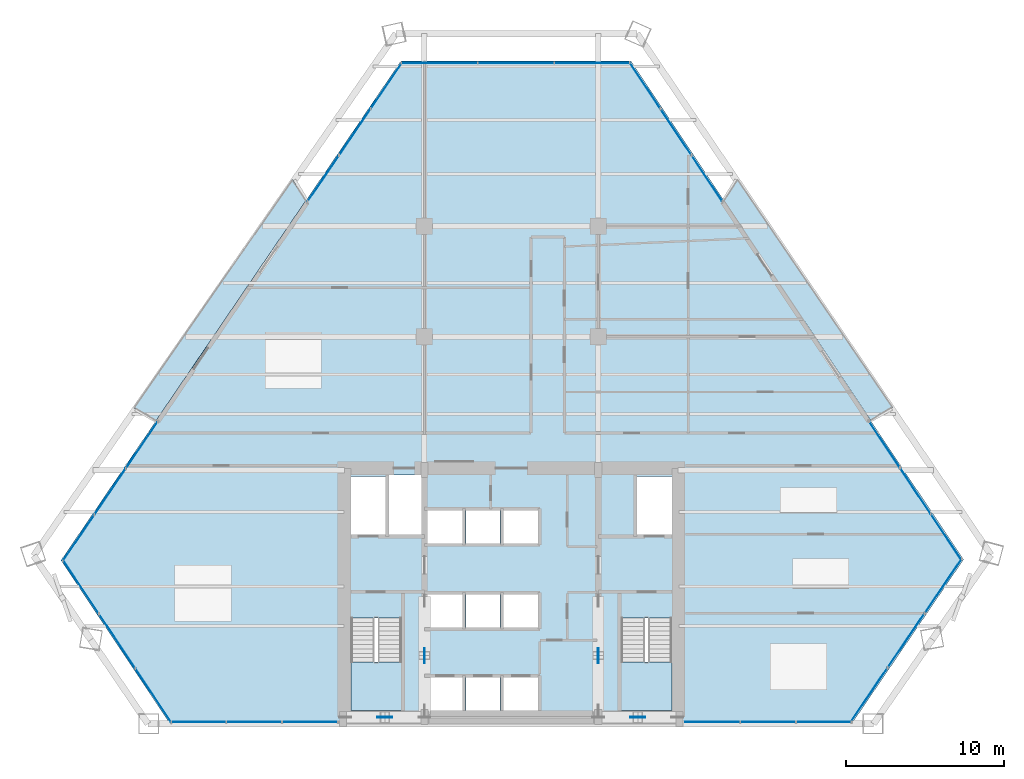
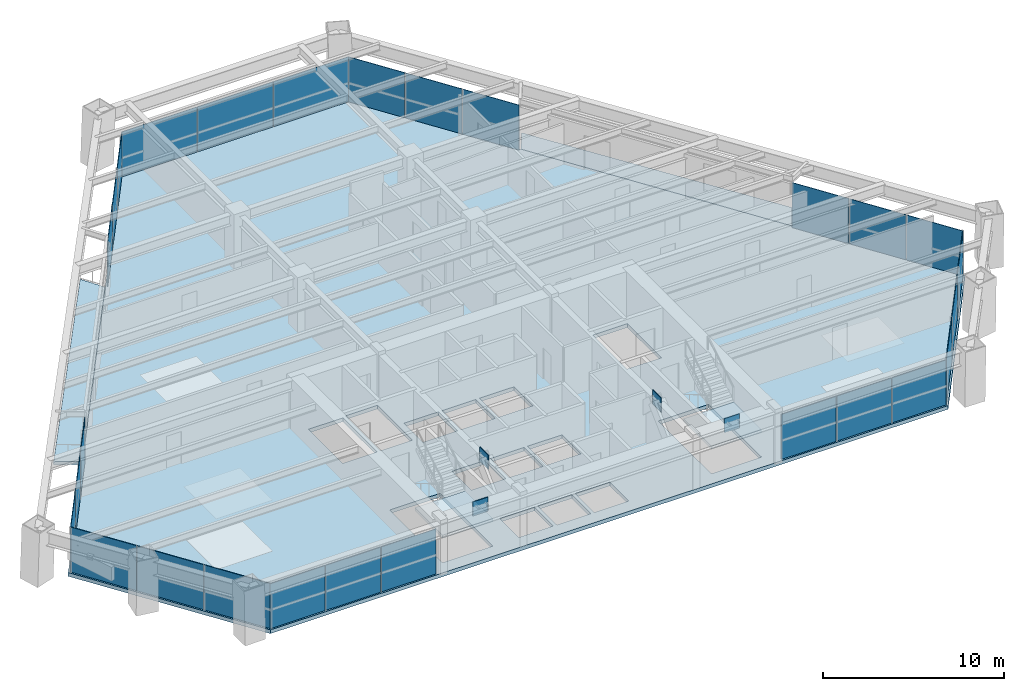
# One storey, part 9 of 14: 31 plates, 5 slabs, 11 elements without a shape of their own.
"""IFC4 building model written with IfcOpenShell, lengths in metres."""

from ifc_helpers import new_model, si_unit, direction, frame, origin, origin_2d, place, context, subcontext, project, spatial, polyline, rectangle, outline, extrude, source, transform, mapped, material, layer, layer_set, type_object, element, aggregate, save


model = new_model("IFC4")

# Units and contexts
model_context = context("Model", 3, precision=1e-05, world=origin(), true_north=direction((0.0, 1.0)))
body_context = subcontext(model_context, "Body", "Model", "MODEL_VIEW")
ifc_project = project(units=[si_unit("LENGTHUNIT", "METRE"), si_unit("AREAUNIT", "SQUARE_METRE"), si_unit("VOLUMEUNIT", "CUBIC_METRE"), si_unit("PLANEANGLEUNIT", "RADIAN"), si_unit("MASSUNIT", "GRAM", prefix="KILO")], contexts=[model_context])

# Site, building, storey
site_placement = place(None, origin())
site = spatial("IfcSite", under=ifc_project, at=site_placement, CompositionType="ELEMENT")
building_placement = place(site_placement, origin())
building = spatial("IfcBuilding", under=site, at=building_placement, Name="Varnakhor Terracotta Tower", CompositionType="ELEMENT")
storey_placement = place(building_placement, frame((0.0, 0.0, 53.39990234375)))
storey = spatial("IfcBuildingStorey", under=building, at=storey_placement, Name="L12", CompositionType="ELEMENT", Elevation=53.39990234375)

# Stair, slab
ifc_material_1 = material(Name="Concrete C40/50", Category="concrete")
stair_type = type_object("IfcStairType", Name="STR-CORE-OFFICE-1500", PredefinedType="HALF_TURN_STAIR", material=ifc_material_1)
stair_1_placement = place(storey_placement, origin())
stair_1 = element("IfcStair", 1, at=stair_1_placement, inside=storey, type_object=stair_type, Name="L12 Core Exit Stair ST-1", PredefinedType="HALF_TURN_STAIR")
ifc_layer_1 = layer(ifc_material_1, 0.179931640625, Name="Concrete C40/50")
ifc_layer_set_1 = layer_set([ifc_layer_1], Name="Concrete C40/50")
slab_type_1 = type_object("IfcSlabType", Name="SLB-LANDING-180", PredefinedType="LANDING", material=ifc_layer_set_1)
slab_1_placement = place(storey_placement, frame((0.0, 0.0, 1.650146484375)))
slab_1 = element("IfcSlab", 2, at=slab_1_placement, type_object=slab_type_1, Name="ST-1 landing 1", PredefinedType="LANDING", context=body_context, shape_type="SweptSolid", body=[
    extrude(outline(polyline([(-10.14990234375, 3.909912109375), (-10.14990234375, 0.85009765625), (-6.949951171875, 0.85009765625), (-6.949951171875, 3.909912109375), (-10.14990234375, 3.909912109375)])), origin(), (0.0, 0.0, 1.0), 0.199951171875),
])
aggregate(stair_1, [slab_1])

stair_2_placement = place(storey_placement, origin())
stair_2 = element("IfcStair", 3, at=stair_2_placement, inside=storey, type_object=stair_type, Name="L12 Core Exit Stair ST-2", PredefinedType="HALF_TURN_STAIR")
slab_2_placement = place(storey_placement, frame((0.0, 0.0, 1.650146484375)))
slab_2 = element("IfcSlab", 4, at=slab_2_placement, type_object=slab_type_1, Name="ST-2 landing 1", PredefinedType="LANDING", context=body_context, shape_type="SweptSolid", body=[
    extrude(outline(polyline([(6.949951171875, 3.909912109375), (6.949951171875, 0.85009765625), (10.14990234375, 0.85009765625), (10.14990234375, 3.909912109375), (6.949951171875, 3.909912109375)])), origin(), (0.0, 0.0, 1.0), 0.199951171875),
])
aggregate(stair_2, [slab_2])

# Slabs
ifc_layer_2 = layer(ifc_material_1, 0.195068359375, Name="Concrete C40/50")
ifc_layer_set_2 = layer_set([ifc_layer_2], Name="Concrete C40/50")
slab_type_2 = type_object("IfcSlabType", Name="SLB-LOGGIA-EXT-195", PredefinedType="FLOOR", material=ifc_layer_set_2)
slab_3_placement = place(storey_placement, frame((0.0, 0.0, -0.19482421875)))
element("IfcSlab", 5, at=slab_3_placement, inside=storey, type_object=slab_type_2, Name="L12 E Recessed Outdoor Loggia Slab", PredefinedType="FLOOR", context=body_context, shape_type="SweptSolid", body=[
    extrude(outline(polyline([(14.281005859375, 34.45556640625), (24.11669921875, 20.010498046875), (22.71875, 19.226806640625), (13.4619140625, 33.10595703125), (14.281005859375, 34.45556640625)])), origin(), (0.0, 0.0, 1.0), 0.19482421875),
])
slab_4_placement = place(storey_placement, frame((0.0, 0.0, -0.19482421875)))
element("IfcSlab", 6, at=slab_4_placement, inside=storey, type_object=slab_type_2, Name="L12 W Recessed Outdoor Loggia Slab", PredefinedType="FLOOR", context=body_context, shape_type="SweptSolid", body=[
    extrude(outline(polyline([(-23.875244140625, 19.975341796875), (-13.83251953125, 34.44189453125), (-13.0126953125, 33.0927734375), (-22.4755859375, 19.193115234375), (-23.875244140625, 19.975341796875)])), origin(), (0.0, 0.0, 1.0), 0.19482421875),
])
ifc_layer_3 = layer(ifc_material_1, 0.25, Name="Concrete C40/50")
ifc_layer_set_3 = layer_set([ifc_layer_3], Name="Concrete C40/50")
slab_type_3 = type_object("IfcSlabType", Name="SLB-OFF-250", PredefinedType="FLOOR", material=ifc_layer_set_3)
slab_5_placement = place(storey_placement, frame((0.0, 0.0, -0.25)))
element("IfcSlab", 7, at=slab_5_placement, inside=storey, type_object=slab_type_3, Name="L12 Structural Floor Slab", PredefinedType="FLOOR", context=body_context, shape_type="SweptSolid", body=[
    extrude(outline(polyline([(-28.49755859375, 10.34765625), (-6.990966796875, 41.93798828125), (7.571044921875, 41.93798828125), (28.609375, 10.39453125), (21.53271484375, 0.0), (-21.59619140625, 0.0), (-28.49755859375, 10.34765625)]), holes=[polyline([(-3.10009765625, 0.85009765625), (-3.10009765625, 2.949951171875), (-5.300048828125, 2.949951171875), (-5.300048828125, 0.85009765625), (-3.10009765625, 0.85009765625)]), polyline([(-2.8798828125, 0.85009765625), (-0.719970703125, 0.85009765625), (-0.719970703125, 2.949951171875), (-2.8798828125, 2.949951171875), (-2.8798828125, 0.85009765625)]), polyline([(-10.14990234375, 0.85009765625), (-6.949951171875, 0.85009765625), (-6.949951171875, 6.695068359375), (-10.14990234375, 6.695068359375), (-10.14990234375, 0.85009765625)]), polyline([(-5.300048828125, 6.10009765625), (-3.10009765625, 6.10009765625), (-3.10009765625, 8.199951171875), (-5.300048828125, 8.199951171875), (-5.300048828125, 6.10009765625)]), polyline([(-5.300048828125, 11.419921875), (-3.10009765625, 11.419921875), (-3.10009765625, 13.52001953125), (-5.300048828125, 13.52001953125), (-5.300048828125, 11.419921875)]), polyline([(-10.14990234375, 11.8798828125), (-7.949951171875, 11.8798828125), (-7.949951171875, 15.64990234375), (-10.14990234375, 15.64990234375), (-10.14990234375, 11.8798828125)]), polyline([(-7.72998046875, 11.8798828125), (-5.699951171875, 11.8798828125), (-5.699951171875, 15.75), (-7.72998046875, 15.75), (-7.72998046875, 11.8798828125)]), polyline([(1.699951171875, 0.85009765625), (1.699951171875, 2.949951171875), (-0.5, 2.949951171875), (-0.5, 0.85009765625), (1.699951171875, 0.85009765625)]), polyline([(6.949951171875, 0.85009765625), (10.14990234375, 0.85009765625), (10.14990234375, 6.695068359375), (6.949951171875, 6.695068359375), (6.949951171875, 0.85009765625)]), polyline([(-2.8798828125, 6.10009765625), (-0.719970703125, 6.10009765625), (-0.719970703125, 8.199951171875), (-2.8798828125, 8.199951171875), (-2.8798828125, 6.10009765625)]), polyline([(-0.5, 6.10009765625), (1.699951171875, 6.10009765625), (1.699951171875, 8.199951171875), (-0.5, 8.199951171875), (-0.5, 6.10009765625)]), polyline([(-2.8798828125, 11.419921875), (-0.719970703125, 11.419921875), (-0.719970703125, 13.52001953125), (-2.8798828125, 13.52001953125), (-2.8798828125, 11.419921875)]), polyline([(-0.5, 11.419921875), (1.699951171875, 11.419921875), (1.699951171875, 13.52001953125), (-0.5, 13.52001953125), (-0.5, 11.419921875)]), polyline([(7.949951171875, 11.8798828125), (10.14990234375, 11.8798828125), (10.14990234375, 15.64990234375), (7.949951171875, 15.64990234375), (7.949951171875, 11.8798828125)])]), origin(), (0.0, 0.0, 1.0), 0.25),
])

# Plates
ifc_material_2 = material(Name="Steel S460", Category="steel")
ifc_layer_4 = layer(ifc_material_2, 0.050048828125, Name="Steel S460")
ifc_layer_set_4 = layer_set([ifc_layer_4], Name="Steel S460")
plate_type_1 = type_object("IfcPlateType", Name="PLT-GUSSET-50", PredefinedType="USERDEFINED", material=ifc_layer_set_4)
shared_shape_1 = source(origin(), body_context, "Body", "SweptSolid", [
    extrude(rectangle(XDim=0.949951171875, YDim=0.044921875, at=origin_2d()), origin(), (0.0, 0.0, 1.0), 0.949951171875),
])
for number, where, z_axis, x_axis, name in (
    (8, (-8.0, 0.419921875, 2.8251953125), (0.0, 0.0, 1.0), (1.0, 0.0, 0.0), "L12 Core Brace Apex Gusset CSW"),
    (9, (8.0, 0.419921875, 2.8251953125), (0.0, 0.0, 1.0), (1.0, 0.0, 0.0), "L12 Core Brace Apex Gusset CSE"),
    (10, (-5.5, 4.324951171875, 2.8251953125), (0.0, 0.0, 1.0), (0.0, 1.0, 0.0), "L12 Core Brace Apex Gusset CWW"),
    (11, (5.5, 4.324951171875, 2.8251953125), (0.0, 0.0, 1.0), (0.0, 1.0, 0.0), "L12 Core Brace Apex Gusset CWE"),
):
    element("IfcPlate", number, at=place(storey_placement, frame(where, z_axis=z_axis, x_axis=x_axis)), inside=storey, type_object=plate_type_1, Name=name, ObjectType="GUSSET PLATE", PredefinedType="USERDEFINED", context=body_context, shape_type="MappedRepresentation", body=[
        mapped(shared_shape_1, transform((0.0, 0.0, 0.0), scale=1.0)),
    ])

# Curtain wall, plates
ifc_material_3 = material(Name="Anodised Aluminium Curtain Wall System", Category="aluminium")
curtain_wall_type = type_object("IfcCurtainWallType", Name="CW-SYS-LOW-OFFICE", PredefinedType="NOTDEFINED", material=ifc_material_3)
curtain_wall_1_placement = place(storey_placement, origin())
curtain_wall_1 = element("IfcCurtainWall", 12, at=curtain_wall_1_placement, inside=storey, type_object=curtain_wall_type, Name="L12 W Facet Curtain Wall 1", PredefinedType="NOTDEFINED")
ifc_material_4 = material(Name="Solar-Control Low-E Insulated Glass Panel", Category="glass")
ifc_layer_5 = layer(ifc_material_4, 0.0380859375, Name="Solar-Control Low-E Insulated Glass Panel")
ifc_layer_set_5 = layer_set([ifc_layer_5], Name="Solar-Control Low-E Insulated Glass Panel")
plate_type_2 = type_object("IfcPlateType", Name="CWP-02", PredefinedType="CURTAIN_PANEL", material=ifc_layer_set_5)
shared_shape_2 = source(origin(), body_context, "Body", "SweptSolid", [
    extrude(rectangle(XDim=3.5068359375, YDim=0.035888671875, at=origin_2d()), origin(), (0.0, 0.0, 1.0), 3.030029296875),
])
plate_1_placement = place(storey_placement, frame((-27.383544921875, 11.77099609375, 0.0), z_axis=(0.0, 0.0, 1.0), x_axis=(0.562761646786, 0.826619216391, 0.0)))
plate_1 = element("IfcPlate", 13, at=plate_1_placement, type_object=plate_type_2, Name="L12 W Facet Curtain Wall 1 Glazed Panel 1", PredefinedType="CURTAIN_PANEL", context=body_context, shape_type="MappedRepresentation", body=[
    mapped(shared_shape_2, transform((0.0, 0.0, 0.0), scale=1.0)),
])
plate_2_placement = place(storey_placement, frame((-25.387451171875, 14.702880859375, 0.0), z_axis=(0.0, 0.0, 1.0), x_axis=(0.562761646786, 0.826619216391, 0.0)))
plate_2 = element("IfcPlate", 14, at=plate_2_placement, type_object=plate_type_2, Name="L12 W Facet Curtain Wall 1 Glazed Panel 2", PredefinedType="CURTAIN_PANEL", context=body_context, shape_type="MappedRepresentation", body=[
    mapped(shared_shape_2, transform((0.0, 0.0, 0.0), scale=1.0)),
])
plate_3_placement = place(storey_placement, frame((-23.391357421875, 17.634765625, 0.0), z_axis=(0.0, 0.0, 1.0), x_axis=(0.562761646786, 0.826619216391, 0.0)))
plate_3 = element("IfcPlate", 15, at=plate_3_placement, type_object=plate_type_2, Name="L12 W Facet Curtain Wall 1 Glazed Panel 3", PredefinedType="CURTAIN_PANEL", context=body_context, shape_type="MappedRepresentation", body=[
    mapped(shared_shape_2, transform((0.0, 0.0, 0.0), scale=1.0)),
])
aggregate(curtain_wall_1, [plate_1, plate_2, plate_3])

curtain_wall_2_placement = place(storey_placement, origin())
curtain_wall_2 = element("IfcCurtainWall", 16, at=curtain_wall_2_placement, inside=storey, type_object=curtain_wall_type, Name="L12 W Facet Curtain Wall 2", PredefinedType="NOTDEFINED")
plate_4_placement = place(storey_placement, frame((-11.898681640625, 34.51611328125, 0.0), z_axis=(0.0, 0.0, 1.0), x_axis=(0.562761646786, 0.826619216391, 0.0)))
plate_4 = element("IfcPlate", 17, at=plate_4_placement, type_object=plate_type_2, Name="L12 W Facet Curtain Wall 2 Glazed Panel 1", PredefinedType="CURTAIN_PANEL", context=body_context, shape_type="MappedRepresentation", body=[
    mapped(shared_shape_2, transform((0.0, 0.0, 0.0), scale=1.0)),
])
plate_5_placement = place(storey_placement, frame((-9.902587890625, 37.447998046875, 0.0), z_axis=(0.0, 0.0, 1.0), x_axis=(0.562761646786, 0.826619216391, 0.0)))
plate_5 = element("IfcPlate", 18, at=plate_5_placement, type_object=plate_type_2, Name="L12 W Facet Curtain Wall 2 Glazed Panel 2", PredefinedType="CURTAIN_PANEL", context=body_context, shape_type="MappedRepresentation", body=[
    mapped(shared_shape_2, transform((0.0, 0.0, 0.0), scale=1.0)),
])
plate_6_placement = place(storey_placement, frame((-7.906494140625, 40.3798828125, 0.0), z_axis=(0.0, 0.0, 1.0), x_axis=(0.562761646786, 0.826619216391, 0.0)))
plate_6 = element("IfcPlate", 19, at=plate_6_placement, type_object=plate_type_2, Name="L12 W Facet Curtain Wall 2 Glazed Panel 3", PredefinedType="CURTAIN_PANEL", context=body_context, shape_type="MappedRepresentation", body=[
    mapped(shared_shape_2, transform((0.0, 0.0, 0.0), scale=1.0)),
])
aggregate(curtain_wall_2, [plate_4, plate_5, plate_6])

curtain_wall_3_placement = place(storey_placement, origin())
curtain_wall_3 = element("IfcCurtainWall", 20, at=curtain_wall_3_placement, inside=storey, type_object=curtain_wall_type, Name="L12 Facet Curtain Wall 2", PredefinedType="NOTDEFINED")
shared_shape_3 = source(origin(), body_context, "Body", "SweptSolid", [
    extrude(rectangle(XDim=4.7939453125, YDim=0.035888671875, at=origin_2d()), origin(), (0.0, 0.0, 1.0), 3.030029296875),
])
plate_7_placement = place(storey_placement, frame((-4.5439453125, 41.818115234375, 0.0), z_axis=(0.0, 0.0, 1.0), x_axis=(1.0, 0.0, 0.0)))
plate_7 = element("IfcPlate", 21, at=plate_7_placement, type_object=plate_type_2, Name="L12 Facet Curtain Wall 2 Glazed Panel 1", PredefinedType="CURTAIN_PANEL", context=body_context, shape_type="MappedRepresentation", body=[
    mapped(shared_shape_3, transform((0.0, 0.0, 0.0), scale=1.0)),
])
plate_8_placement = place(storey_placement, frame((0.2900390625, 41.818115234375, 0.0), z_axis=(0.0, 0.0, 1.0), x_axis=(1.0, 0.0, 0.0)))
plate_8 = element("IfcPlate", 22, at=plate_8_placement, type_object=plate_type_2, Name="L12 Facet Curtain Wall 2 Glazed Panel 2", PredefinedType="CURTAIN_PANEL", context=body_context, shape_type="MappedRepresentation", body=[
    mapped(shared_shape_3, transform((0.0, 0.0, 0.0), scale=1.0)),
])
plate_9_placement = place(storey_placement, frame((5.1240234375, 41.818115234375, 0.0), z_axis=(0.0, 0.0, 1.0), x_axis=(1.0, 0.0, 0.0)))
plate_9 = element("IfcPlate", 23, at=plate_9_placement, type_object=plate_type_2, Name="L12 Facet Curtain Wall 2 Glazed Panel 3", PredefinedType="CURTAIN_PANEL", context=body_context, shape_type="MappedRepresentation", body=[
    mapped(shared_shape_3, transform((0.0, 0.0, 0.0), scale=1.0)),
])
aggregate(curtain_wall_3, [plate_7, plate_8, plate_9])

curtain_wall_4_placement = place(storey_placement, origin())
curtain_wall_4 = element("IfcCurtainWall", 24, at=curtain_wall_4_placement, inside=storey, type_object=curtain_wall_type, Name="L12 E Facet Curtain Wall 1", PredefinedType="NOTDEFINED")
shared_shape_4 = source(origin(), body_context, "Body", "SweptSolid", [
    extrude(rectangle(XDim=3.47900390625, YDim=0.035888671875, at=origin_2d()), origin(), (0.0, 0.0, 1.0), 3.030029296875),
])
plate_10_placement = place(storey_placement, frame((8.464111328125, 40.3828125, 0.0), z_axis=(0.0, 0.0, 1.0), x_axis=(0.554873467787, -0.831934753899, 0.0)))
plate_10 = element("IfcPlate", 25, at=plate_10_placement, type_object=plate_type_2, Name="L12 E Facet Curtain Wall 1 Glazed Panel 1", PredefinedType="CURTAIN_PANEL", context=body_context, shape_type="MappedRepresentation", body=[
    mapped(shared_shape_4, transform((0.0, 0.0, 0.0), scale=1.0)),
])
shared_shape_5 = source(origin(), body_context, "Body", "SweptSolid", [
    extrude(rectangle(XDim=3.478759765625, YDim=0.035888671875, at=origin_2d()), origin(), (0.0, 0.0, 1.0), 3.030029296875),
])
plate_11_placement = place(storey_placement, frame((10.416748046875, 37.455322265625, 0.0), z_axis=(0.0, 0.0, 1.0), x_axis=(0.554873467787, -0.831934753899, 0.0)))
plate_11 = element("IfcPlate", 26, at=plate_11_placement, type_object=plate_type_2, Name="L12 E Facet Curtain Wall 1 Glazed Panel 2", PredefinedType="CURTAIN_PANEL", context=body_context, shape_type="MappedRepresentation", body=[
    mapped(shared_shape_5, transform((0.0, 0.0, 0.0), scale=1.0)),
])
plate_12_placement = place(storey_placement, frame((12.369140625, 34.528076171875, 0.0), z_axis=(0.0, 0.0, 1.0), x_axis=(0.554873467787, -0.831934753899, 0.0)))
plate_12 = element("IfcPlate", 27, at=plate_12_placement, type_object=plate_type_2, Name="L12 E Facet Curtain Wall 1 Glazed Panel 3", PredefinedType="CURTAIN_PANEL", context=body_context, shape_type="MappedRepresentation", body=[
    mapped(shared_shape_5, transform((0.0, 0.0, 0.0), scale=1.0)),
])
aggregate(curtain_wall_4, [plate_10, plate_11, plate_12])

curtain_wall_5_placement = place(storey_placement, origin())
curtain_wall_5 = element("IfcCurtainWall", 28, at=curtain_wall_5_placement, inside=storey, type_object=curtain_wall_type, Name="L12 E Facet Curtain Wall 2", PredefinedType="NOTDEFINED")
plate_13_placement = place(storey_placement, frame((23.61181640625, 17.67138671875, 0.0), z_axis=(0.0, 0.0, 1.0), x_axis=(0.554873467787, -0.831934753899, 0.0)))
plate_13 = element("IfcPlate", 29, at=plate_13_placement, type_object=plate_type_2, Name="L12 E Facet Curtain Wall 2 Glazed Panel 1", PredefinedType="CURTAIN_PANEL", context=body_context, shape_type="MappedRepresentation", body=[
    mapped(shared_shape_5, transform((0.0, 0.0, 0.0), scale=1.0)),
])
plate_14_placement = place(storey_placement, frame((25.564208984375, 14.744140625, 0.0), z_axis=(0.0, 0.0, 1.0), x_axis=(0.554873467787, -0.831934753899, 0.0)))
plate_14 = element("IfcPlate", 30, at=plate_14_placement, type_object=plate_type_2, Name="L12 E Facet Curtain Wall 2 Glazed Panel 2", PredefinedType="CURTAIN_PANEL", context=body_context, shape_type="MappedRepresentation", body=[
    mapped(shared_shape_5, transform((0.0, 0.0, 0.0), scale=1.0)),
])
plate_15_placement = place(storey_placement, frame((27.5166015625, 11.816650390625, 0.0), z_axis=(0.0, 0.0, 1.0), x_axis=(0.554873467787, -0.831934753899, 0.0)))
plate_15 = element("IfcPlate", 31, at=plate_15_placement, type_object=plate_type_2, Name="L12 E Facet Curtain Wall 2 Glazed Panel 3", PredefinedType="CURTAIN_PANEL", context=body_context, shape_type="MappedRepresentation", body=[
    mapped(shared_shape_5, transform((0.0, 0.0, 0.0), scale=1.0)),
])
aggregate(curtain_wall_5, [plate_13, plate_14, plate_15])

curtain_wall_6_placement = place(storey_placement, origin())
curtain_wall_6 = element("IfcCurtainWall", 32, at=curtain_wall_6_placement, inside=storey, type_object=curtain_wall_type, Name="L12 Facet Curtain Wall 4", PredefinedType="NOTDEFINED")
shared_shape_6 = source(origin(), body_context, "Body", "SweptSolid", [
    extrude(rectangle(XDim=4.131591796875, YDim=0.035888671875, at=origin_2d()), origin(), (0.0, 0.0, 1.0), 3.030029296875),
])
plate_16_placement = place(storey_placement, frame((27.319580078125, 8.713134765625, 0.0), z_axis=(0.0, 0.0, 1.0), x_axis=(-0.562761646786, -0.826619216391, 0.0)))
plate_16 = element("IfcPlate", 33, at=plate_16_placement, type_object=plate_type_2, Name="L12 Facet Curtain Wall 4 Glazed Panel 1", PredefinedType="CURTAIN_PANEL", context=body_context, shape_type="MappedRepresentation", body=[
    mapped(shared_shape_6, transform((0.0, 0.0, 0.0), scale=1.0)),
])
plate_17_placement = place(storey_placement, frame((24.971923828125, 5.264892578125, 0.0), z_axis=(0.0, 0.0, 1.0), x_axis=(-0.562761646786, -0.826619216391, 0.0)))
plate_17 = element("IfcPlate", 34, at=plate_17_placement, type_object=plate_type_2, Name="L12 Facet Curtain Wall 4 Glazed Panel 2", PredefinedType="CURTAIN_PANEL", context=body_context, shape_type="MappedRepresentation", body=[
    mapped(shared_shape_6, transform((0.0, 0.0, 0.0), scale=1.0)),
])
plate_18_placement = place(storey_placement, frame((22.624267578125, 1.81640625, 0.0), z_axis=(0.0, 0.0, 1.0), x_axis=(-0.562761646786, -0.826619216391, 0.0)))
plate_18 = element("IfcPlate", 35, at=plate_18_placement, type_object=plate_type_2, Name="L12 Facet Curtain Wall 4 Glazed Panel 3", PredefinedType="CURTAIN_PANEL", context=body_context, shape_type="MappedRepresentation", body=[
    mapped(shared_shape_6, transform((0.0, 0.0, 0.0), scale=1.0)),
])
aggregate(curtain_wall_6, [plate_16, plate_17, plate_18])

curtain_wall_7_placement = place(storey_placement, origin())
curtain_wall_7 = element("IfcCurtainWall", 36, at=curtain_wall_7_placement, inside=storey, type_object=curtain_wall_type, Name="L12 South Wing Curtain Wall SSE", PredefinedType="NOTDEFINED")
shared_shape_7 = source(origin(), body_context, "Body", "SweptSolid", [
    extrude(rectangle(XDim=3.4775390625, YDim=0.035888671875, at=origin_2d()), origin(), (0.0, 0.0, 1.0), 3.030029296875),
])
plate_19_placement = place(storey_placement, frame((19.763916015625, 0.1201171875, 0.0), z_axis=(0.0, 0.0, 1.0), x_axis=(-1.0, 0.0, 0.0)))
plate_19 = element("IfcPlate", 37, at=plate_19_placement, type_object=plate_type_2, Name="L12 South Wing Curtain Wall SSE Glazed Panel 1", PredefinedType="CURTAIN_PANEL", context=body_context, shape_type="MappedRepresentation", body=[
    mapped(shared_shape_7, transform((0.0, 0.0, 0.0), scale=1.0)),
])
plate_20_placement = place(storey_placement, frame((16.246337890625, 0.1201171875, 0.0), z_axis=(0.0, 0.0, 1.0), x_axis=(-1.0, 0.0, 0.0)))
plate_20 = element("IfcPlate", 38, at=plate_20_placement, type_object=plate_type_2, Name="L12 South Wing Curtain Wall SSE Glazed Panel 2", PredefinedType="CURTAIN_PANEL", context=body_context, shape_type="MappedRepresentation", body=[
    mapped(shared_shape_7, transform((0.0, 0.0, 0.0), scale=1.0)),
])
plate_21_placement = place(storey_placement, frame((12.728759765625, 0.1201171875, 0.0), z_axis=(0.0, 0.0, 1.0), x_axis=(-1.0, 0.0, 0.0)))
plate_21 = element("IfcPlate", 39, at=plate_21_placement, type_object=plate_type_2, Name="L12 South Wing Curtain Wall SSE Glazed Panel 3", PredefinedType="CURTAIN_PANEL", context=body_context, shape_type="MappedRepresentation", body=[
    mapped(shared_shape_7, transform((0.0, 0.0, 0.0), scale=1.0)),
])
aggregate(curtain_wall_7, [plate_19, plate_20, plate_21])

curtain_wall_8_placement = place(storey_placement, origin())
curtain_wall_8 = element("IfcCurtainWall", 40, at=curtain_wall_8_placement, inside=storey, type_object=curtain_wall_type, Name="L12 South Wing Curtain Wall SSW", PredefinedType="NOTDEFINED")
shared_shape_8 = source(origin(), body_context, "Body", "SweptSolid", [
    extrude(rectangle(XDim=3.498779296875, YDim=0.035888671875, at=origin_2d()), origin(), (0.0, 0.0, 1.0), 3.030029296875),
])
plate_22_placement = place(storey_placement, frame((-12.7392578125, 0.1201171875, 0.0), z_axis=(0.0, 0.0, 1.0), x_axis=(-1.0, 0.0, 0.0)))
plate_22 = element("IfcPlate", 41, at=plate_22_placement, type_object=plate_type_2, Name="L12 South Wing Curtain Wall SSW Glazed Panel 1", PredefinedType="CURTAIN_PANEL", context=body_context, shape_type="MappedRepresentation", body=[
    mapped(shared_shape_8, transform((0.0, 0.0, 0.0), scale=1.0)),
])
plate_23_placement = place(storey_placement, frame((-16.278076171875, 0.1201171875, 0.0), z_axis=(0.0, 0.0, 1.0), x_axis=(-1.0, 0.0, 0.0)))
plate_23 = element("IfcPlate", 42, at=plate_23_placement, type_object=plate_type_2, Name="L12 South Wing Curtain Wall SSW Glazed Panel 2", PredefinedType="CURTAIN_PANEL", context=body_context, shape_type="MappedRepresentation", body=[
    mapped(shared_shape_8, transform((0.0, 0.0, 0.0), scale=1.0)),
])
plate_24_placement = place(storey_placement, frame((-19.816650390625, 0.1201171875, 0.0), z_axis=(0.0, 0.0, 1.0), x_axis=(-1.0, 0.0, 0.0)))
plate_24 = element("IfcPlate", 43, at=plate_24_placement, type_object=plate_type_2, Name="L12 South Wing Curtain Wall SSW Glazed Panel 3", PredefinedType="CURTAIN_PANEL", context=body_context, shape_type="MappedRepresentation", body=[
    mapped(shared_shape_8, transform((0.0, 0.0, 0.0), scale=1.0)),
])
aggregate(curtain_wall_8, [plate_22, plate_23, plate_24])

curtain_wall_9_placement = place(storey_placement, origin())
curtain_wall_9 = element("IfcCurtainWall", 44, at=curtain_wall_9_placement, inside=storey, type_object=curtain_wall_type, Name="L12 Facet Curtain Wall 6", PredefinedType="NOTDEFINED")
shared_shape_9 = source(origin(), body_context, "Body", "SweptSolid", [
    extrude(rectangle(XDim=4.0859375, YDim=0.035888671875, at=origin_2d()), origin(), (0.0, 0.0, 1.0), 3.030029296875),
])
plate_25_placement = place(storey_placement, frame((-22.65771484375, 1.807861328125, 0.0), z_axis=(0.0, 0.0, 1.0), x_axis=(-0.554873467787, 0.831934753899, 0.0)))
plate_25 = element("IfcPlate", 45, at=plate_25_placement, type_object=plate_type_2, Name="L12 Facet Curtain Wall 6 Glazed Panel 1", PredefinedType="CURTAIN_PANEL", context=body_context, shape_type="MappedRepresentation", body=[
    mapped(shared_shape_9, transform((0.0, 0.0, 0.0), scale=1.0)),
])
plate_26_placement = place(storey_placement, frame((-24.947021484375, 5.240478515625, 0.0), z_axis=(0.0, 0.0, 1.0), x_axis=(-0.554873467787, 0.831934753899, 0.0)))
plate_26 = element("IfcPlate", 46, at=plate_26_placement, type_object=plate_type_2, Name="L12 Facet Curtain Wall 6 Glazed Panel 2", PredefinedType="CURTAIN_PANEL", context=body_context, shape_type="MappedRepresentation", body=[
    mapped(shared_shape_9, transform((0.0, 0.0, 0.0), scale=1.0)),
])
plate_27_placement = place(storey_placement, frame((-27.236328125, 8.673095703125, 0.0), z_axis=(0.0, 0.0, 1.0), x_axis=(-0.554873467787, 0.831934753899, 0.0)))
plate_27 = element("IfcPlate", 47, at=plate_27_placement, type_object=plate_type_2, Name="L12 Facet Curtain Wall 6 Glazed Panel 3", PredefinedType="CURTAIN_PANEL", context=body_context, shape_type="MappedRepresentation", body=[
    mapped(shared_shape_9, transform((0.0, 0.0, 0.0), scale=1.0)),
])
aggregate(curtain_wall_9, [plate_25, plate_26, plate_27])

save(model, "model.ifc")
